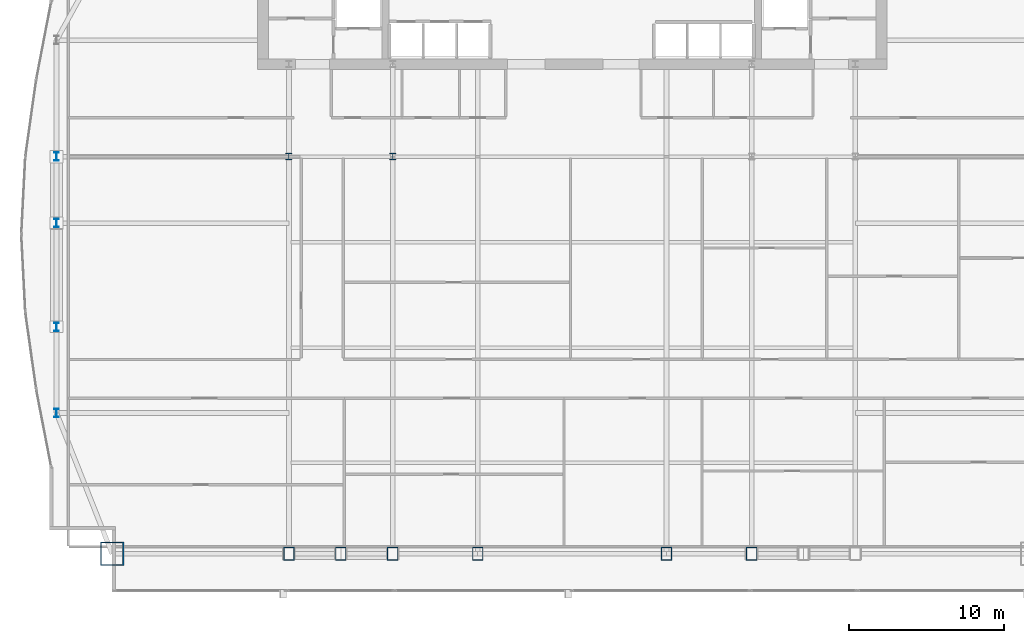
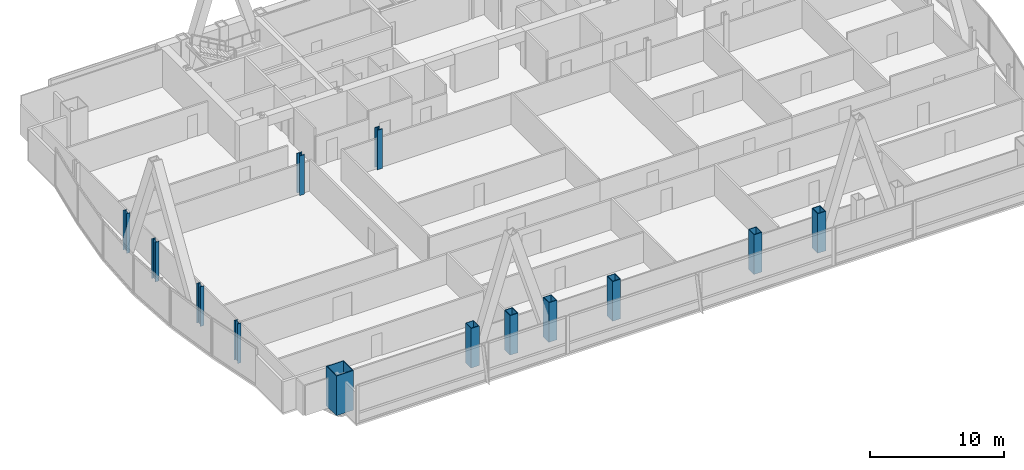
# One storey, part 1 of 33: 13 columns.
"""IFC4 building model written with IfcOpenShell, lengths in metres."""

from ifc_helpers import new_model, si_unit, direction, frame, origin, origin_2d, place, context, subcontext, project, spatial, hollow_rectangle, i_section, extrude, material, material_profile, profile_set, type_object, element, save


model = new_model("IFC4")

# Units and contexts
model_context = context("Model", 3, precision=1e-05, world=origin(), true_north=direction((0.0, 1.0)))
body_context = subcontext(model_context, "Body", "Model", "MODEL_VIEW")
ifc_project = project(units=[si_unit("LENGTHUNIT", "METRE"), si_unit("AREAUNIT", "SQUARE_METRE"), si_unit("VOLUMEUNIT", "CUBIC_METRE"), si_unit("PLANEANGLEUNIT", "RADIAN"), si_unit("MASSUNIT", "GRAM", prefix="KILO")], contexts=[model_context])

# Site, building, storey
site_placement = place(None, origin())
site = spatial("IfcSite", under=ifc_project, at=site_placement, CompositionType="ELEMENT")
building_placement = place(site_placement, origin())
building = spatial("IfcBuilding", under=site, at=building_placement, Name="Khoronbel Lancet Exchange", CompositionType="ELEMENT")
storey_placement = place(building_placement, frame((0.0, 0.0, 118.199951171875)))
storey = spatial("IfcBuildingStorey", under=building, at=storey_placement, Name="L28", CompositionType="ELEMENT", Elevation=118.199951171875)

# Columns
ifc_material_1 = material(Name="Steel S460", Category="steel")
ifc_material_profile_1 = material_profile(ifc_material_1, hollow_rectangle(XDim=0.699951171875, YDim=0.85009765625, WallThickness=0.050048828125, at=origin_2d()), Name="BOX 850x700x50")
ifc_profile_set_1 = profile_set([ifc_material_profile_1], Name="Steel S460")
column_type_1 = type_object("IfcColumnType", Name="COL-EC2", PredefinedType="COLUMN", material=ifc_profile_set_1)
for number, where, z_axis, x_axis, name in (
    (1, (18.22509765625, 10.14990234375, 0.0), (0.0, 0.0, 1.0), (1.0, 0.0, 0.0), "Structural column SC-W1 L28"),
    (2, (21.5625, 10.14990234375, 0.0), (0.0, 0.0, 1.0), (1.0, 0.0, 0.0), "Structural column SC-WM L28"),
    (3, (24.89990234375, 10.14990234375, 0.0), (0.0, 0.0, 1.0), (1.0, 0.0, 0.0), "Structural column SC-W2 L28"),
    (4, (30.375, 10.14990234375, 0.0), (0.0, 0.0, 1.0), (1.0, 0.0, 0.0), "Structural column SC-C1 L28"),
    (5, (42.52490234375, 10.14990234375, 0.0), (0.0, 0.0, 1.0), (1.0, 0.0, 0.0), "Structural column SC-C2 L28"),
    (6, (48.0, 10.14990234375, 0.0), (0.0, 0.0, 1.0), (1.0, 0.0, 0.0), "Structural column SC-E1 L28"),
):
    element("IfcColumn", number, at=place(storey_placement, frame(where, z_axis=z_axis, x_axis=x_axis)), inside=storey, type_object=column_type_1, Name=name, PredefinedType="COLUMN", context=body_context, shape_type="SweptSolid", body=[
        extrude(hollow_rectangle(XDim=0.699951171875, YDim=0.85009765625, WallThickness=0.050048828125, at=origin_2d()), origin(), (0.0, 0.0, 1.0), 3.60009765625),
    ])
ifc_material_profile_2 = material_profile(ifc_material_1, i_section(OverallWidth=0.416015625, OverallDepth=0.446044921875, WebThickness=0.0390625, FlangeThickness=0.062744140625, at=origin_2d()), Name="HD 400x509")
ifc_profile_set_2 = profile_set([ifc_material_profile_2], Name="Steel S460")
column_type_2 = type_object("IfcColumnType", Name="COL-IC2", PredefinedType="COLUMN", material=ifc_profile_set_2)
for number, where, z_axis, x_axis, name in (
    (7, (18.22509765625, 35.699951171875, 0.0), (0.0, 0.0, 1.0), (1.0, 0.0, 0.0), "Spine gravity column TC1 L28"),
    (8, (24.89990234375, 35.699951171875, 0.0), (0.0, 0.0, 1.0), (1.0, 0.0, 0.0), "Spine gravity column TC2 L28"),
):
    element("IfcColumn", number, at=place(storey_placement, frame(where, z_axis=z_axis, x_axis=x_axis)), inside=storey, type_object=column_type_2, Name=name, PredefinedType="COLUMN", context=body_context, shape_type="SweptSolid", body=[
        extrude(i_section(OverallWidth=0.416015625, OverallDepth=0.446044921875, WebThickness=0.0390625, FlangeThickness=0.062744140625, at=origin_2d()), origin(), (0.0, 0.0, 1.0), 3.60009765625),
    ])
ifc_material_2 = material(Name="Steel S355", Category="steel")
ifc_material_profile_3 = material_profile(ifc_material_2, i_section(OverallWidth=0.300048828125, OverallDepth=0.550048828125, WebThickness=0.014892578125, FlangeThickness=0.029052734375, at=origin_2d()), Name="HEB 550")
ifc_profile_set_3 = profile_set([ifc_material_profile_3], Name="Steel S355")
column_type_3 = type_object("IfcColumnType", Name="COL-LC1", PredefinedType="COLUMN", material=ifc_profile_set_3)
for number, where, z_axis, x_axis, name in (
    (9, (3.27001953125, 19.199951171875, 0.0), (0.0, 0.0, 1.0), (1.0, 0.0, 0.0), "Structural column WC-1 L28"),
    (10, (3.27001953125, 24.75, 0.0), (0.0, 0.0, 1.0), (1.0, 0.0, 0.0), "Structural column WC-2 L28"),
    (11, (3.27001953125, 31.425048828125, 0.0), (0.0, 0.0, 1.0), (1.0, 0.0, 0.0), "Structural column WC-M L28"),
    (12, (3.27001953125, 35.699951171875, 0.0), (0.0, 0.0, 1.0), (1.0, 0.0, 0.0), "Structural column WC-3 L28"),
):
    element("IfcColumn", number, at=place(storey_placement, frame(where, z_axis=z_axis, x_axis=x_axis)), inside=storey, type_object=column_type_3, Name=name, PredefinedType="COLUMN", context=body_context, shape_type="SweptSolid", body=[
        extrude(i_section(OverallWidth=0.300048828125, OverallDepth=0.550048828125, WebThickness=0.014892578125, FlangeThickness=0.029052734375, at=origin_2d()), origin(), (0.0, 0.0, 1.0), 3.60009765625),
    ])
ifc_material_profile_4 = material_profile(ifc_material_1, hollow_rectangle(XDim=1.5, YDim=1.5, WallThickness=0.070068359375, at=origin_2d()), Name="BOX 1500x1500x70")
ifc_profile_set_4 = profile_set([ifc_material_profile_4], Name="Steel S460")
column_type_4 = type_object("IfcColumnType", Name="COL-MC3", PredefinedType="COLUMN", material=ifc_profile_set_4)
column_placement = place(storey_placement, frame((6.85009765625, 10.14990234375, 0.0), z_axis=(0.0, 0.0, 1.0), x_axis=(1.0, 0.0, 0.0)))
element("IfcColumn", 13, at=column_placement, inside=storey, type_object=column_type_4, Name="Structural column MC-SW L28", PredefinedType="COLUMN", context=body_context, shape_type="SweptSolid", body=[
    extrude(hollow_rectangle(XDim=1.5, YDim=1.5, WallThickness=0.070068359375, at=origin_2d()), origin(), (0.0, 0.0, 1.0), 3.60009765625),
])

save(model, "model.ifc")
